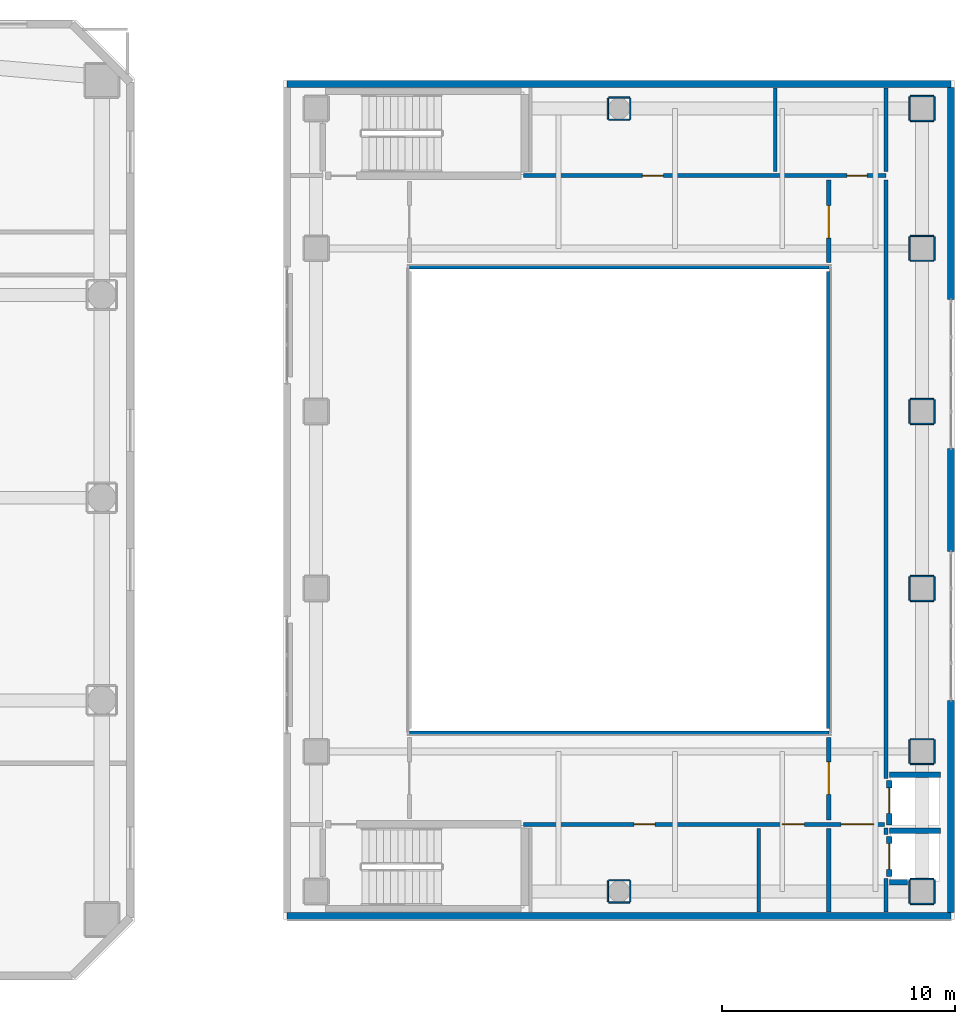
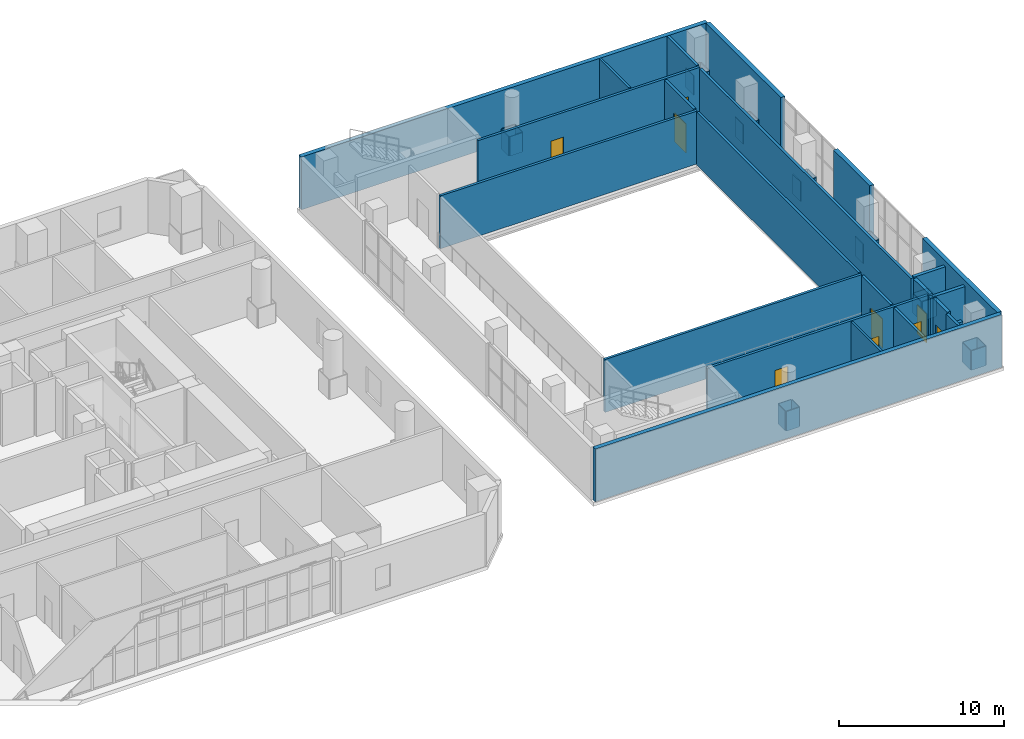
# One storey, part 20 of 24: 56 walls, 9 doors, 9 openings.
"""IFC4 building model written with IfcOpenShell, lengths in metres."""

from ifc_helpers import new_model, si_unit, direction, frame, frame_2d, origin, place, context, subcontext, project, spatial, rectangle, extrude, material, layer, layer_set, type_object, element, fill, save


model = new_model("IFC4")

# Units and contexts
model_context = context("Model", 3, precision=1e-05, world=origin(), true_north=direction((0.0, 1.0)))
body_context = subcontext(model_context, "Body", "Model", "MODEL_VIEW")
ifc_project = project(units=[si_unit("LENGTHUNIT", "METRE"), si_unit("AREAUNIT", "SQUARE_METRE"), si_unit("VOLUMEUNIT", "CUBIC_METRE"), si_unit("PLANEANGLEUNIT", "RADIAN"), si_unit("MASSUNIT", "GRAM", prefix="KILO")], contexts=[model_context])

# Site, building, storey
site_placement = place(None, origin())
site = spatial("IfcSite", under=ifc_project, at=site_placement, CompositionType="ELEMENT")
building_placement = place(site_placement, origin())
building = spatial("IfcBuilding", under=site, at=building_placement, Name="Solanera Arch Residences", CompositionType="ELEMENT")
storey_placement = place(building_placement, frame((0.0, 0.0, 5.199951171875)))
storey = spatial("IfcBuildingStorey", under=building, at=storey_placement, Name="L01", CompositionType="ELEMENT", Elevation=5.199951171875)

# Walls
ifc_material_1 = material(Name="Fire-Rated Gypsum Stud Partition", Category="gypsum")
ifc_layer_1 = layer(ifc_material_1, 0.06005859375)
ifc_layer_set_1 = layer_set([ifc_layer_1], Name="Fire-Rated Gypsum Stud Partition")
wall_type_1 = type_object("IfcWallType", Name="Column Acoustic Furring Wall 60", PredefinedType="PARTITIONING", material=ifc_layer_set_1)
for number, where, z_axis, x_axis, name in (
    (1, (81.300048828125, 13.26806640625, 0.0), (0.0, 0.0, 1.0), (1.0, 0.0, 0.0), "L01 Column Furring 31S"),
    (2, (81.300048828125, 14.33203125, 0.0), (0.0, 0.0, 1.0), (1.0, 0.0, 0.0), "L01 Column Furring 31N"),
    (3, (81.26806640625, 13.300048828125, 0.0), (0.0, 0.0, 1.0), (0.0, 1.0, 0.0), "L01 Column Furring 31W"),
    (4, (82.33203125, 13.300048828125, 0.0), (0.0, 0.0, 1.0), (0.0, 1.0, 0.0), "L01 Column Furring 31E"),
    (5, (81.300048828125, 19.26806640625, 0.0), (0.0, 0.0, 1.0), (1.0, 0.0, 0.0), "L01 Column Furring 32S"),
    (6, (81.300048828125, 20.33203125, 0.0), (0.0, 0.0, 1.0), (1.0, 0.0, 0.0), "L01 Column Furring 32N"),
    (7, (81.26806640625, 19.300048828125, 0.0), (0.0, 0.0, 1.0), (0.0, 1.0, 0.0), "L01 Column Furring 32W"),
    (8, (82.33203125, 19.300048828125, 0.0), (0.0, 0.0, 1.0), (0.0, 1.0, 0.0), "L01 Column Furring 32E"),
    (9, (81.300048828125, 26.26806640625, 0.0), (0.0, 0.0, 1.0), (1.0, 0.0, 0.0), "L01 Column Furring 33S"),
    (10, (81.300048828125, 27.33203125, 0.0), (0.0, 0.0, 1.0), (1.0, 0.0, 0.0), "L01 Column Furring 33N"),
    (11, (81.26806640625, 26.300048828125, 0.0), (0.0, 0.0, 1.0), (0.0, 1.0, 0.0), "L01 Column Furring 33W"),
    (12, (82.33203125, 26.300048828125, 0.0), (0.0, 0.0, 1.0), (0.0, 1.0, 0.0), "L01 Column Furring 33E"),
    (13, (81.300048828125, 33.867919921875, 0.0), (0.0, 0.0, 1.0), (1.0, 0.0, 0.0), "L01 Column Furring 34S"),
    (14, (81.300048828125, 34.931884765625, 0.0), (0.0, 0.0, 1.0), (1.0, 0.0, 0.0), "L01 Column Furring 34N"),
    (15, (81.26806640625, 33.89990234375, 0.0), (0.0, 0.0, 1.0), (0.0, 1.0, 0.0), "L01 Column Furring 34W"),
    (16, (82.33203125, 33.89990234375, 0.0), (0.0, 0.0, 1.0), (0.0, 1.0, 0.0), "L01 Column Furring 34E"),
    (17, (81.300048828125, 40.867919921875, 0.0), (0.0, 0.0, 1.0), (1.0, 0.0, 0.0), "L01 Column Furring 35S"),
    (18, (81.300048828125, 41.931884765625, 0.0), (0.0, 0.0, 1.0), (1.0, 0.0, 0.0), "L01 Column Furring 35N"),
    (19, (81.26806640625, 40.89990234375, 0.0), (0.0, 0.0, 1.0), (0.0, 1.0, 0.0), "L01 Column Furring 35W"),
    (20, (82.33203125, 40.89990234375, 0.0), (0.0, 0.0, 1.0), (0.0, 1.0, 0.0), "L01 Column Furring 35E"),
    (21, (81.300048828125, 46.867919921875, 0.0), (0.0, 0.0, 1.0), (1.0, 0.0, 0.0), "L01 Column Furring 36S"),
    (22, (81.300048828125, 47.931884765625, 0.0), (0.0, 0.0, 1.0), (1.0, 0.0, 0.0), "L01 Column Furring 36N"),
    (23, (81.26806640625, 46.89990234375, 0.0), (0.0, 0.0, 1.0), (0.0, 1.0, 0.0), "L01 Column Furring 36W"),
    (24, (82.33203125, 46.89990234375, 0.0), (0.0, 0.0, 1.0), (0.0, 1.0, 0.0), "L01 Column Furring 36E"),
):
    element("IfcWall", number, at=place(storey_placement, frame(where, z_axis=z_axis, x_axis=x_axis)), inside=storey, type_object=wall_type_1, Name=name, PredefinedType="PARTITIONING", context=body_context, shape_type="SweptSolid", body=[
        extrude(rectangle(XDim=1.0, YDim=0.06005859375, at=frame_2d((0.5, 0.0))), origin(), (0.0, 0.0, 1.0), 1.449951171875),
    ])
for number, where, z_axis, x_axis, name in (
    (25, (68.35009765625, 13.318115234375, 0.0), (0.0, 0.0, 1.0), (1.0, 0.0, 0.0), "L01 Column Furring 37S"),
    (26, (68.35009765625, 14.281982421875, 0.0), (0.0, 0.0, 1.0), (1.0, 0.0, 0.0), "L01 Column Furring 37N"),
    (27, (68.318115234375, 13.35009765625, 0.0), (0.0, 0.0, 1.0), (0.0, 1.0, 0.0), "L01 Column Furring 37W"),
    (28, (69.281982421875, 13.35009765625, 0.0), (0.0, 0.0, 1.0), (0.0, 1.0, 0.0), "L01 Column Furring 37E"),
    (29, (68.35009765625, 46.91796875, 0.0), (0.0, 0.0, 1.0), (1.0, 0.0, 0.0), "L01 Column Furring 38S"),
    (30, (68.35009765625, 47.882080078125, 0.0), (0.0, 0.0, 1.0), (1.0, 0.0, 0.0), "L01 Column Furring 38N"),
):
    element("IfcWall", number, at=place(storey_placement, frame(where, z_axis=z_axis, x_axis=x_axis)), inside=storey, type_object=wall_type_1, Name=name, PredefinedType="PARTITIONING", context=body_context, shape_type="SweptSolid", body=[
        extrude(rectangle(XDim=0.89990234375, YDim=0.06005859375, at=frame_2d((0.449951171875, 0.0))), origin(), (0.0, 0.0, 1.0), 1.449951171875),
    ])
for number, where, z_axis, x_axis, name in (
    (31, (68.318115234375, 46.949951171875, 0.0), (0.0, 0.0, 1.0), (0.0, 1.0, 0.0), "L01 Column Furring 38W"),
    (32, (69.281982421875, 46.949951171875, 0.0), (0.0, 0.0, 1.0), (0.0, 1.0, 0.0), "L01 Column Furring 38E"),
):
    element("IfcWall", number, at=place(storey_placement, frame(where, z_axis=z_axis, x_axis=x_axis)), inside=storey, type_object=wall_type_1, Name=name, PredefinedType="PARTITIONING", context=body_context, shape_type="SweptSolid", body=[
        extrude(rectangle(XDim=0.900146484375, YDim=0.06005859375, at=frame_2d((0.4501953125, 0.0))), origin(), (0.0, 0.0, 1.0), 1.449951171875),
    ])

# Wall, openings, doors
ifc_material_2 = material(Name="Autoclaved Aerated Concrete Blockwork", Category="masonry")
ifc_layer_2 = layer(ifc_material_2, 0.179931640625)
ifc_layer_set_2 = layer_set([ifc_layer_2], Name="Autoclaved Aerated Concrete Blockwork")
wall_type_2 = type_object("IfcWallType", Name="Corridor Fire Partition 180", PredefinedType="PARTITIONING", material=ifc_layer_set_2)
wall_1_placement = place(storey_placement, frame((64.699951171875, 16.679931640625, 0.0), z_axis=(0.0, 0.0, 1.0), x_axis=(1.0, 0.0, 0.0)))
wall_1 = element("IfcWall", 33, at=wall_1_placement, inside=storey, type_object=wall_type_2, Name="L01 Interior Partition H8 2", PredefinedType="PARTITIONING", context=body_context, shape_type="SweptSolid", body=[
    extrude(rectangle(XDim=15.48193359375, YDim=0.179931640625, at=frame_2d((7.740966796875, 0.0))), origin(), (0.0, 0.0, 1.0), 3.920166015625),
])
opening_1_placement = place(wall_1_placement, frame((13.625, 0.0, 0.0)))
opening_1 = element("IfcOpeningElement", 34, at=opening_1_placement, cuts=wall_1, Name="Opening DF-03", PredefinedType="OPENING", context=body_context, shape_type="SweptSolid", body=[
    extrude(rectangle(XDim=1.39990234375, YDim=2.14990234375, at=frame_2d((0.699951171875, 1.074951171875))), frame((0.0, 0.10009765625, 0.0), z_axis=(0.0, -1.0, 0.0), x_axis=(1.0, 0.0, 0.0)), (0.0, 0.0, 1.0), 0.1999),
])
opening_2_placement = place(wall_1_placement, frame((4.75, 0.0, 0.0)))
opening_2 = element("IfcOpeningElement", 35, at=opening_2_placement, cuts=wall_1, Name="Opening DI-02", PredefinedType="OPENING", context=body_context, shape_type="SweptSolid", body=[
    extrude(rectangle(XDim=0.89990234375, YDim=2.10009765625, at=frame_2d((0.449951171875, 1.050048828125))), frame((0.0, 0.10009765625, 0.0), z_axis=(0.0, -1.0, 0.0), x_axis=(1.0, 0.0, 0.0)), (0.0, 0.0, 1.0), 0.1999),
])
opening_3_placement = place(wall_1_placement, frame((11.10107421875, 0.0, 0.0)))
opening_3 = element("IfcOpeningElement", 36, at=opening_3_placement, cuts=wall_1, Name="Opening DI-04", PredefinedType="OPENING", context=body_context, shape_type="SweptSolid", body=[
    extrude(rectangle(XDim=0.949951171875, YDim=2.10009765625, at=frame_2d((0.47509765625, 1.050048828125))), frame((0.0, 0.10009765625, 0.0), z_axis=(0.0, -1.0, 0.0), x_axis=(1.0, 0.0, 0.0)), (0.0, 0.0, 1.0), 0.1999),
])
ifc_material_3 = material(Name="Fire-Rated Architectural Hardwood", Category="wood")
door_type_1 = type_object("IfcDoorType", Name="Accessible Restroom Door DI-04", OperationType="NOTDEFINED", PredefinedType="DOOR", material=ifc_material_3)
door_1_placement = place(opening_3_placement, origin())
door_1 = element("IfcDoor", 37, at=door_1_placement, inside=storey, type_object=door_type_1, Name="DR-L01-IN-044", OperationType="SINGLE_SWING_LEFT", OverallHeight=2.10009765625, OverallWidth=0.949951171875, PredefinedType="DOOR", context=body_context, shape_type="SweptSolid", body=[
    extrude(rectangle(XDim=0.949951171875, YDim=2.10009765625, at=frame_2d((0.47509765625, 1.050048828125))), frame((0.0, 0.02490234375, 0.0), z_axis=(0.0, -1.0, 0.0), x_axis=(1.0, 0.0, 0.0)), (0.0, 0.0, 1.0), 0.050048828125),
])
fill(opening_3, door_1)
ifc_material_4 = material(Name="Fire-Rated Architectural Hardwood", Category="wood")
door_type_2 = type_object("IfcDoorType", Name="Corridor Smoke Door DF-03", OperationType="NOTDEFINED", PredefinedType="DOOR", material=ifc_material_4)
door_2_placement = place(opening_1_placement, origin())
door_2 = element("IfcDoor", 38, at=door_2_placement, inside=storey, type_object=door_type_2, Name="DR-L01-IN-022", OperationType="SINGLE_SWING_LEFT", OverallHeight=2.14990234375, OverallWidth=1.39990234375, PredefinedType="DOOR", context=body_context, shape_type="SweptSolid", body=[
    extrude(rectangle(XDim=1.39990234375, YDim=2.14990234375, at=frame_2d((0.699951171875, 1.074951171875))), frame((0.0, 0.02490234375, 0.0), z_axis=(0.0, -1.0, 0.0), x_axis=(1.0, 0.0, 0.0)), (0.0, 0.0, 1.0), 0.050048828125),
])
fill(opening_1, door_2)
ifc_material_5 = material(Name="Fire-Rated Architectural Hardwood", Category="wood")
door_type_3 = type_object("IfcDoorType", Name="Suite Room Swing Door DI-02", OperationType="NOTDEFINED", PredefinedType="DOOR", material=ifc_material_5)
door_3_placement = place(opening_2_placement, origin())
door_3 = element("IfcDoor", 39, at=door_3_placement, inside=storey, type_object=door_type_3, Name="DR-L01-IN-043", OperationType="SINGLE_SWING_RIGHT", OverallHeight=2.10009765625, OverallWidth=0.89990234375, PredefinedType="DOOR", context=body_context, shape_type="SweptSolid", body=[
    extrude(rectangle(XDim=0.89990234375, YDim=2.10009765625, at=frame_2d((0.449951171875, 1.050048828125))), frame((0.0, 0.02490234375, 0.0), z_axis=(0.0, -1.0, 0.0), x_axis=(1.0, 0.0, 0.0)), (0.0, 0.0, 1.0), 0.050048828125),
])
fill(opening_2, door_3)

# Walls
for number, where, z_axis, x_axis, name in (
    (40, (59.800048828125, 20.60009765625, 0.0), (0.0, 0.0, 1.0), (1.0, 0.0, 0.0), "L01 Interior Partition H10"),
    (41, (59.800048828125, 40.60009765625, 0.0), (0.0, 0.0, 1.0), (1.0, 0.0, 0.0), "L01 Interior Partition H14"),
):
    element("IfcWall", number, at=place(storey_placement, frame(where, z_axis=z_axis, x_axis=x_axis)), inside=storey, type_object=wall_type_2, Name=name, PredefinedType="PARTITIONING", context=body_context, shape_type="SweptSolid", body=[
        extrude(rectangle(XDim=18.0, YDim=0.179931640625, at=frame_2d((9.0, 0.0))), origin(), (0.0, 0.0, 1.0), 3.920166015625),
    ])

# Wall, openings, doors
wall_2_placement = place(storey_placement, frame((64.699951171875, 44.52001953125, 0.0), z_axis=(0.0, 0.0, 1.0), x_axis=(1.0, 0.0, 0.0)))
wall_2 = element("IfcWall", 42, at=wall_2_placement, inside=storey, type_object=wall_type_2, Name="L01 Interior Partition H16 2", PredefinedType="PARTITIONING", context=body_context, shape_type="SweptSolid", body=[
    extrude(rectangle(XDim=15.550048828125, YDim=0.179931640625, at=frame_2d((7.77490234375, 0.0))), origin(), (0.0, 0.0, 1.0), 3.920166015625),
])
opening_4_placement = place(wall_2_placement, frame((5.10009765625, 0.0, 0.0)))
opening_4 = element("IfcOpeningElement", 43, at=opening_4_placement, cuts=wall_2, Name="Opening DI-02", PredefinedType="OPENING", context=body_context, shape_type="SweptSolid", body=[
    extrude(rectangle(XDim=0.89990234375, YDim=2.10009765625, at=frame_2d((0.449951171875, 1.050048828125))), frame((0.0, 0.10009765625, 0.0), z_axis=(0.0, -1.0, 0.0), x_axis=(1.0, 0.0, 0.0)), (0.0, 0.0, 1.0), 0.1999),
])
opening_5_placement = place(wall_2_placement, frame((13.881103515625, 0.0, 0.0)))
opening_5 = element("IfcOpeningElement", 44, at=opening_5_placement, cuts=wall_2, Name="Opening DI-05", PredefinedType="OPENING", context=body_context, shape_type="SweptSolid", body=[
    extrude(rectangle(XDim=0.860107421875, YDim=2.02001953125, at=frame_2d((0.43017578125, 1.010009765625))), frame((0.0, 0.10009765625, 0.0), z_axis=(0.0, -1.0, 0.0), x_axis=(1.0, 0.0, 0.0)), (0.0, 0.0, 1.0), 0.1999),
])
ifc_material_6 = material(Name="Fire-Rated Architectural Hardwood", Category="wood")
door_type_4 = type_object("IfcDoorType", Name="Bathroom Swing Door DI-05", OperationType="NOTDEFINED", PredefinedType="DOOR", material=ifc_material_6)
door_4_placement = place(opening_5_placement, origin())
door_4 = element("IfcDoor", 45, at=door_4_placement, inside=storey, type_object=door_type_4, Name="DR-L01-IN-046", OperationType="SINGLE_SWING_LEFT", OverallHeight=2.02001953125, OverallWidth=0.860107421875, PredefinedType="DOOR", context=body_context, shape_type="SweptSolid", body=[
    extrude(rectangle(XDim=0.860107421875, YDim=2.02001953125, at=frame_2d((0.43017578125, 1.010009765625))), frame((0.0, 0.02490234375, 0.0), z_axis=(0.0, -1.0, 0.0), x_axis=(1.0, 0.0, 0.0)), (0.0, 0.0, 1.0), 0.050048828125),
])
fill(opening_5, door_4)
door_5_placement = place(opening_4_placement, origin())
door_5 = element("IfcDoor", 46, at=door_5_placement, inside=storey, type_object=door_type_3, Name="DR-L01-IN-045", OperationType="SINGLE_SWING_RIGHT", OverallHeight=2.10009765625, OverallWidth=0.89990234375, PredefinedType="DOOR", context=body_context, shape_type="SweptSolid", body=[
    extrude(rectangle(XDim=0.89990234375, YDim=2.10009765625, at=frame_2d((0.449951171875, 1.050048828125))), frame((0.0, 0.02490234375, 0.0), z_axis=(0.0, -1.0, 0.0), x_axis=(1.0, 0.0, 0.0)), (0.0, 0.0, 1.0), 0.050048828125),
])
fill(opening_4, door_5)

# Wall
wall_3_placement = place(storey_placement, frame((77.800048828125, 12.912109375, 0.0), z_axis=(0.0, 0.0, 1.0), x_axis=(0.0, 1.0, 0.0)))
element("IfcWall", 47, at=wall_3_placement, inside=storey, type_object=wall_type_2, Name="L01 Interior Partition V15 1", PredefinedType="PARTITIONING", context=body_context, shape_type="SweptSolid", body=[
    extrude(rectangle(XDim=3.579833984375, YDim=0.179931640625, at=frame_2d((1.7900390625, 0.0))), origin(), (0.0, 0.0, 1.0), 3.920166015625),
])

# Wall, opening, door
wall_4_placement = place(storey_placement, frame((77.800048828125, 16.867919921875, 0.0), z_axis=(0.0, 0.0, 1.0), x_axis=(0.0, 1.0, 0.0)))
wall_4 = element("IfcWall", 48, at=wall_4_placement, inside=storey, type_object=wall_type_2, Name="L01 Interior Partition V15 2", PredefinedType="PARTITIONING", context=body_context, shape_type="SweptSolid", body=[
    extrude(rectangle(XDim=3.544189453125, YDim=0.179931640625, at=frame_2d((1.77197265625, 0.0))), origin(), (0.0, 0.0, 1.0), 3.920166015625),
])
opening_6_placement = place(wall_4_placement, frame((1.095947265625, 0.0, 0.0)))
opening_6 = element("IfcOpeningElement", 49, at=opening_6_placement, cuts=wall_4, Name="Opening DF-03", PredefinedType="OPENING", context=body_context, shape_type="SweptSolid", body=[
    extrude(rectangle(XDim=1.39990234375, YDim=2.14990234375, at=frame_2d((0.699951171875, 1.074951171875))), frame((0.0, 0.10009765625, 0.0), z_axis=(0.0, -1.0, 0.0), x_axis=(1.0, 0.0, 0.0)), (0.0, 0.0, 1.0), 0.1999),
])
door_6_placement = place(opening_6_placement, origin())
door_6 = element("IfcDoor", 50, at=door_6_placement, inside=storey, type_object=door_type_2, Name="DR-L01-IN-020", OperationType="SINGLE_SWING_LEFT", OverallHeight=2.14990234375, OverallWidth=1.39990234375, PredefinedType="DOOR", context=body_context, shape_type="SweptSolid", body=[
    extrude(rectangle(XDim=1.39990234375, YDim=2.14990234375, at=frame_2d((0.699951171875, 1.074951171875))), frame((0.0, 0.02490234375, 0.0), z_axis=(0.0, -1.0, 0.0), x_axis=(1.0, 0.0, 0.0)), (0.0, 0.0, 1.0), 0.050048828125),
])
fill(opening_6, door_6)

# Wall
wall_5_placement = place(storey_placement, frame((77.800048828125, 20.7880859375, 0.0), z_axis=(0.0, 0.0, 1.0), x_axis=(0.0, 1.0, 0.0)))
element("IfcWall", 51, at=wall_5_placement, inside=storey, type_object=wall_type_2, Name="L01 Interior Partition V15 3", PredefinedType="PARTITIONING", context=body_context, shape_type="SweptSolid", body=[
    extrude(rectangle(XDim=19.6240234375, YDim=0.179931640625, at=frame_2d((9.81201171875, 0.0))), origin(), (0.0, 0.0, 1.0), 3.920166015625),
])

# Wall, opening, door
wall_6_placement = place(storey_placement, frame((77.800048828125, 40.7880859375, 0.0), z_axis=(0.0, 0.0, 1.0), x_axis=(0.0, 1.0, 0.0)))
wall_6 = element("IfcWall", 52, at=wall_6_placement, inside=storey, type_object=wall_type_2, Name="L01 Interior Partition V15 4", PredefinedType="PARTITIONING", context=body_context, shape_type="SweptSolid", body=[
    extrude(rectangle(XDim=3.5439453125, YDim=0.179931640625, at=frame_2d((1.77197265625, 0.0))), origin(), (0.0, 0.0, 1.0), 3.920166015625),
])
opening_7_placement = place(wall_6_placement, frame((1.048095703125, 0.0, 0.0)))
opening_7 = element("IfcOpeningElement", 53, at=opening_7_placement, cuts=wall_6, Name="Opening DF-03", PredefinedType="OPENING", context=body_context, shape_type="SweptSolid", body=[
    extrude(rectangle(XDim=1.39990234375, YDim=2.14990234375, at=frame_2d((0.699951171875, 1.074951171875))), frame((0.0, 0.10009765625, 0.0), z_axis=(0.0, -1.0, 0.0), x_axis=(1.0, 0.0, 0.0)), (0.0, 0.0, 1.0), 0.1999),
])
door_7_placement = place(opening_7_placement, origin())
door_7 = element("IfcDoor", 54, at=door_7_placement, inside=storey, type_object=door_type_2, Name="DR-L01-IN-021", OperationType="SINGLE_SWING_RIGHT", OverallHeight=2.14990234375, OverallWidth=1.39990234375, PredefinedType="DOOR", context=body_context, shape_type="SweptSolid", body=[
    extrude(rectangle(XDim=1.39990234375, YDim=2.14990234375, at=frame_2d((0.699951171875, 1.074951171875))), frame((0.0, 0.02490234375, 0.0), z_axis=(0.0, -1.0, 0.0), x_axis=(1.0, 0.0, 0.0)), (0.0, 0.0, 1.0), 0.050048828125),
])
fill(opening_7, door_7)

# Walls
wall_7_placement = place(storey_placement, frame((80.25, 12.912109375, 0.0), z_axis=(0.0, 0.0, 1.0), x_axis=(0.0, 1.0, 0.0)))
element("IfcWall", 55, at=wall_7_placement, inside=storey, type_object=wall_type_2, Name="L01 Interior Partition V16 1", PredefinedType="PARTITIONING", context=body_context, shape_type="SweptSolid", body=[
    extrude(rectangle(XDim=1.44287109375, YDim=0.179931640625, at=frame_2d((0.721435546875, 0.0))), origin(), (0.0, 0.0, 1.0), 3.920166015625),
])
wall_8_placement = place(storey_placement, frame((80.25, 16.2451171875, 0.0), z_axis=(0.0, 0.0, 1.0), x_axis=(0.0, 1.0, 0.0)))
element("IfcWall", 56, at=wall_8_placement, inside=storey, type_object=wall_type_2, Name="L01 Interior Partition V16 2", PredefinedType="PARTITIONING", context=body_context, shape_type="SweptSolid", body=[
    extrude(rectangle(XDim=0.27490234375, YDim=0.179931640625, at=frame_2d((0.137451171875, 0.0))), origin(), (0.0, 0.0, 1.0), 3.920166015625),
])
wall_9_placement = place(storey_placement, frame((80.25, 18.64501953125, 0.0), z_axis=(0.0, 0.0, 1.0), x_axis=(0.0, 1.0, 0.0)))
element("IfcWall", 57, at=wall_9_placement, inside=storey, type_object=wall_type_2, Name="L01 Interior Partition V16 3", PredefinedType="PARTITIONING", context=body_context, shape_type="SweptSolid", body=[
    extrude(rectangle(XDim=25.68701171875, YDim=0.179931640625, at=frame_2d((12.843505859375, 0.0))), origin(), (0.0, 0.0, 1.0), 3.920166015625),
])
wall_10_placement = place(storey_placement, frame((80.25, 44.7080078125, 0.0), z_axis=(0.0, 0.0, 1.0), x_axis=(0.0, 1.0, 0.0)))
element("IfcWall", 58, at=wall_10_placement, inside=storey, type_object=wall_type_2, Name="L01 Interior Partition V16 4", PredefinedType="PARTITIONING", context=body_context, shape_type="SweptSolid", body=[
    extrude(rectangle(XDim=3.580078125, YDim=0.179931640625, at=frame_2d((1.7900390625, 0.0))), origin(), (0.0, 0.0, 1.0), 3.920166015625),
])
ifc_material_7 = material(Name="Precast Concrete C35/45", Category="concrete")
ifc_layer_3 = layer(ifc_material_7, 0.300048828125)
ifc_layer_set_3 = layer_set([ifc_layer_3], Name="Precast Concrete C35/45")
wall_type_3 = type_object("IfcWallType", Name="Exterior Wall Precast Masonry-Frame 300", PredefinedType="STANDARD", material=ifc_layer_set_3)
for number, where, z_axis, x_axis, name in (
    (59, (83.050048828125, 12.75, 0.0), (0.0, 0.0, 1.0), (-1.0, 0.0, 0.0), "L01 Sports Hall Exterior Precast Wall S"),
    (60, (54.550048828125, 48.449951171875, 0.0), (0.0, 0.0, 1.0), (1.0, 0.0, 0.0), "L01 Sports Hall Exterior Precast Wall N"),
):
    element("IfcWall", number, at=place(storey_placement, frame(where, z_axis=z_axis, x_axis=x_axis)), inside=storey, type_object=wall_type_3, Name=name, PredefinedType="STANDARD", context=body_context, shape_type="SweptSolid", body=[
        extrude(rectangle(XDim=28.5, YDim=0.300048828125, at=frame_2d((14.25, 0.0))), origin(), (0.0, 0.0, 1.0), 3.920166015625),
    ])
wall_11_placement = place(storey_placement, frame((83.050048828125, 48.300048828125, 0.0), z_axis=(0.0, 0.0, 1.0), x_axis=(0.0, -1.0, 0.0)))
element("IfcWall", 61, at=wall_11_placement, inside=storey, type_object=wall_type_3, Name="L01 Sports Hall East Pier 1", PredefinedType="STANDARD", context=body_context, shape_type="SweptSolid", body=[
    extrude(rectangle(XDim=9.10009765625, YDim=0.300048828125, at=frame_2d((4.550048828125, 0.0))), origin(), (0.0, 0.0, 1.0), 3.920166015625),
])
wall_12_placement = place(storey_placement, frame((83.050048828125, 32.800048828125, 0.0), z_axis=(0.0, 0.0, 1.0), x_axis=(0.0, -1.0, 0.0)))
element("IfcWall", 62, at=wall_12_placement, inside=storey, type_object=wall_type_3, Name="L01 Sports Hall East Central Pier", PredefinedType="STANDARD", context=body_context, shape_type="SweptSolid", body=[
    extrude(rectangle(XDim=4.400146484375, YDim=0.300048828125, at=frame_2d((2.2001953125, 0.0))), origin(), (0.0, 0.0, 1.0), 3.920166015625),
])
wall_13_placement = place(storey_placement, frame((83.050048828125, 22.0, 0.0), z_axis=(0.0, 0.0, 1.0), x_axis=(0.0, -1.0, 0.0)))
element("IfcWall", 63, at=wall_13_placement, inside=storey, type_object=wall_type_3, Name="L01 Sports Hall East Pier 3", PredefinedType="STANDARD", context=body_context, shape_type="SweptSolid", body=[
    extrude(rectangle(XDim=9.10009765625, YDim=0.300048828125, at=frame_2d((4.550048828125, 0.0))), origin(), (0.0, 0.0, 1.0), 3.920166015625),
])
ifc_material_8 = material(Name="Autoclaved Aerated Concrete Blockwork", Category="masonry")
ifc_layer_4 = layer(ifc_material_8, 0.239990234375)
ifc_layer_set_4 = layer_set([ifc_layer_4], Name="Autoclaved Aerated Concrete Blockwork")
wall_type_4 = type_object("IfcWallType", Name="Shaft Wall Fire-Rated 240", PredefinedType="PARTITIONING", material=ifc_layer_set_4)
wall_14_placement = place(storey_placement, frame((80.39990234375, 14.199951171875, 0.0), z_axis=(0.0, 0.0, 1.0), x_axis=(1.0, 0.0, 0.0)))
element("IfcWall", 64, at=wall_14_placement, inside=storey, type_object=wall_type_4, Name="L01 Lift PL-SH1 Hoistway Wall S", PredefinedType="PARTITIONING", context=body_context, shape_type="SweptSolid", body=[
    extrude(rectangle(XDim=0.76806640625, YDim=0.239990234375, at=frame_2d((0.384033203125, 0.0))), origin(), (0.0, 0.0, 1.0), 3.155029296875),
])
wall_15_placement = place(storey_placement, frame((80.39990234375, 16.39990234375, 0.0), z_axis=(0.0, 0.0, 1.0), x_axis=(1.0, 0.0, 0.0)))
element("IfcWall", 65, at=wall_15_placement, inside=storey, type_object=wall_type_4, Name="L01 Lift PL-SH1 Hoistway Wall N", PredefinedType="PARTITIONING", context=body_context, shape_type="SweptSolid", body=[
    extrude(rectangle(XDim=2.2001953125, YDim=0.239990234375, at=frame_2d((1.10009765625, 0.0))), origin(), (0.0, 0.0, 1.0), 3.920166015625),
])

# Wall, opening, door
wall_16_placement = place(storey_placement, frame((80.39990234375, 14.447998046875, 0.0), z_axis=(0.0, 0.0, 1.0), x_axis=(0.0, 1.0, 0.0)))
wall_16 = element("IfcWall", 66, at=wall_16_placement, inside=storey, type_object=wall_type_4, Name="L01 Lift PL-SH1 Hoistway Wall W", PredefinedType="PARTITIONING", context=body_context, shape_type="SweptSolid", body=[
    extrude(rectangle(XDim=1.7041015625, YDim=0.239990234375, at=frame_2d((0.85205078125, 0.0))), origin(), (0.0, 0.0, 1.0), 3.920166015625),
])
opening_8_placement = place(wall_16_placement, frame((0.302001953125, 0.0, 0.0)))
opening_8 = element("IfcOpeningElement", 67, at=opening_8_placement, cuts=wall_16, Name="Opening LD-01", PredefinedType="OPENING", context=body_context, shape_type="SweptSolid", body=[
    extrude(rectangle(XDim=1.10009765625, YDim=2.14990234375, at=frame_2d((0.550048828125, 1.074951171875))), frame((0.0, 0.1298828125, 0.0), z_axis=(0.0, -1.0, 0.0), x_axis=(1.0, 0.0, 0.0)), (0.0, 0.0, 1.0), 0.26),
])
ifc_material_9 = material(Name="Anodised Aluminium Alloy 6063-T6", Category="aluminium")
door_type_5 = type_object("IfcDoorType", Name="Lift Landing Sliding Door LD-01", OperationType="NOTDEFINED", PredefinedType="DOOR", material=ifc_material_9)
door_8_placement = place(opening_8_placement, origin())
door_8 = element("IfcDoor", 68, at=door_8_placement, inside=storey, type_object=door_type_5, Name="DR-L01-LIFT-PL-SH1", OperationType="SLIDING_TO_LEFT", OverallHeight=2.14990234375, OverallWidth=1.10009765625, PredefinedType="DOOR", context=body_context, shape_type="SweptSolid", body=[
    extrude(rectangle(XDim=1.10009765625, YDim=2.14990234375, at=frame_2d((0.550048828125, 1.074951171875))), frame((0.0, 0.02490234375, 0.0), z_axis=(0.0, -1.0, 0.0), x_axis=(1.0, 0.0, 0.0)), (0.0, 0.0, 1.0), 0.050048828125),
])
fill(opening_8, door_8)

# Wall
wall_17_placement = place(storey_placement, frame((80.39990234375, 18.800048828125, 0.0), z_axis=(0.0, 0.0, 1.0), x_axis=(1.0, 0.0, 0.0)))
element("IfcWall", 69, at=wall_17_placement, inside=storey, type_object=wall_type_4, Name="L01 Lift PL-SH2 Hoistway Wall N", PredefinedType="PARTITIONING", context=body_context, shape_type="SweptSolid", body=[
    extrude(rectangle(XDim=2.2001953125, YDim=0.239990234375, at=frame_2d((1.10009765625, 0.0))), origin(), (0.0, 0.0, 1.0), 3.920166015625),
])

# Wall, opening, door
wall_18_placement = place(storey_placement, frame((80.39990234375, 16.64794921875, 0.0), z_axis=(0.0, 0.0, 1.0), x_axis=(0.0, 1.0, 0.0)))
wall_18 = element("IfcWall", 70, at=wall_18_placement, inside=storey, type_object=wall_type_4, Name="L01 Lift PL-SH2 Hoistway Wall W", PredefinedType="PARTITIONING", context=body_context, shape_type="SweptSolid", body=[
    extrude(rectangle(XDim=1.904052734375, YDim=0.239990234375, at=frame_2d((0.9521484375, 0.0))), origin(), (0.0, 0.0, 1.0), 3.920166015625),
])
opening_9_placement = place(wall_18_placement, frame((0.501953125, 0.0, 0.0)))
opening_9 = element("IfcOpeningElement", 71, at=opening_9_placement, cuts=wall_18, Name="Opening LD-01", PredefinedType="OPENING", context=body_context, shape_type="SweptSolid", body=[
    extrude(rectangle(XDim=1.10009765625, YDim=2.14990234375, at=frame_2d((0.550048828125, 1.074951171875))), frame((0.0, 0.1298828125, 0.0), z_axis=(0.0, -1.0, 0.0), x_axis=(1.0, 0.0, 0.0)), (0.0, 0.0, 1.0), 0.26),
])
door_9_placement = place(opening_9_placement, origin())
door_9 = element("IfcDoor", 72, at=door_9_placement, inside=storey, type_object=door_type_5, Name="DR-L01-LIFT-PL-SH2", OperationType="SLIDING_TO_RIGHT", OverallHeight=2.14990234375, OverallWidth=1.10009765625, PredefinedType="DOOR", context=body_context, shape_type="SweptSolid", body=[
    extrude(rectangle(XDim=1.10009765625, YDim=2.14990234375, at=frame_2d((0.550048828125, 1.074951171875))), frame((0.0, 0.02490234375, 0.0), z_axis=(0.0, -1.0, 0.0), x_axis=(1.0, 0.0, 0.0)), (0.0, 0.0, 1.0), 0.050048828125),
])
fill(opening_9, door_9)

# Walls
ifc_material_10 = material(Name="Autoclaved Aerated Concrete Blockwork", Category="masonry")
ifc_layer_5 = layer(ifc_material_10, 0.139892578125)
ifc_layer_set_5 = layer_set([ifc_layer_5], Name="Autoclaved Aerated Concrete Blockwork")
wall_type_5 = type_object("IfcWallType", Name="Wet-Room Partition 140", PredefinedType="PARTITIONING", material=ifc_layer_set_5)
wall_19_placement = place(storey_placement, frame((74.800048828125, 12.912109375, 0.0), z_axis=(0.0, 0.0, 1.0), x_axis=(0.0, 1.0, 0.0)))
element("IfcWall", 73, at=wall_19_placement, inside=storey, type_object=wall_type_5, Name="L01 Interior Partition V23", PredefinedType="PARTITIONING", context=body_context, shape_type="SweptSolid", body=[
    extrude(rectangle(XDim=3.599853515625, YDim=0.139892578125, at=frame_2d((1.7998046875, 0.0))), origin(), (0.0, 0.0, 1.0), 3.920166015625),
])
wall_20_placement = place(storey_placement, frame((75.5, 44.68798828125, 0.0), z_axis=(0.0, 0.0, 1.0), x_axis=(0.0, 1.0, 0.0)))
element("IfcWall", 74, at=wall_20_placement, inside=storey, type_object=wall_type_5, Name="L01 Interior Partition V24", PredefinedType="PARTITIONING", context=body_context, shape_type="SweptSolid", body=[
    extrude(rectangle(XDim=3.60009765625, YDim=0.139892578125, at=frame_2d((1.800048828125, 0.0))), origin(), (0.0, 0.0, 1.0), 3.920166015625),
])

save(model, "model.ifc")
